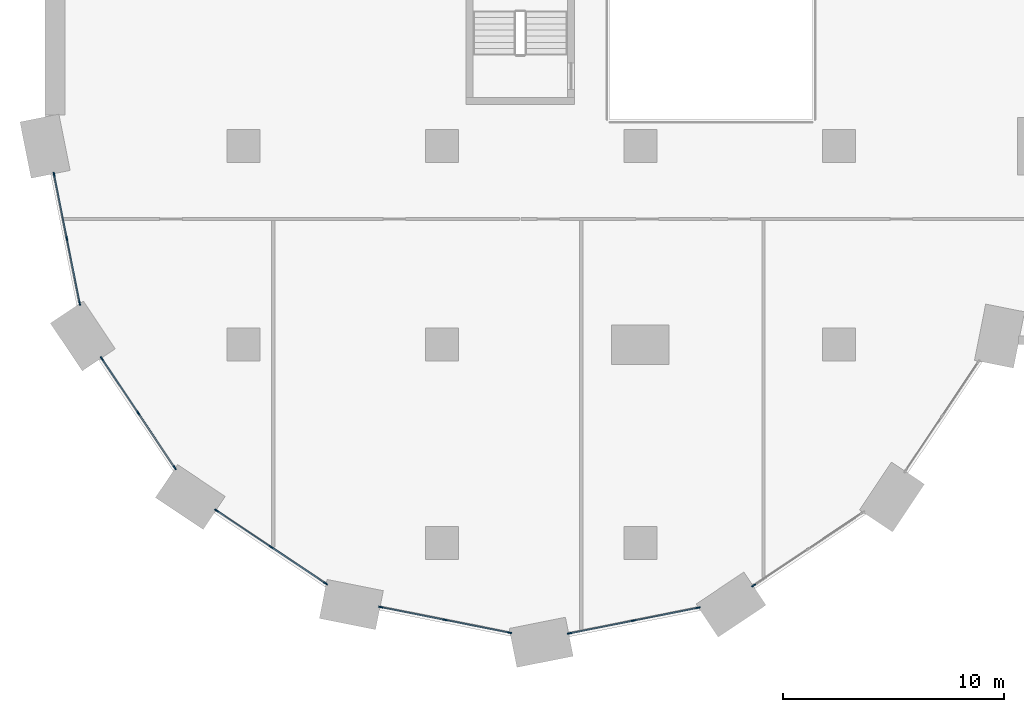
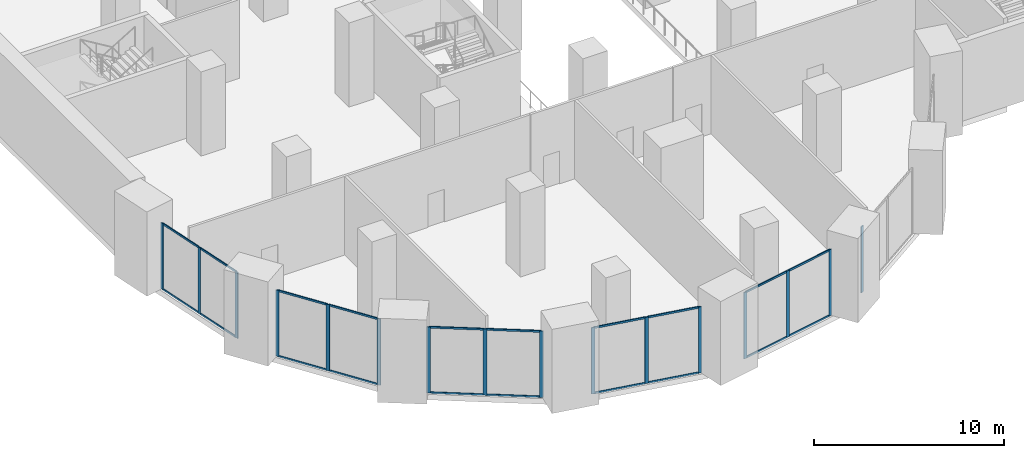
# One storey, part 3 of 44: 36 members, 6 elements without a shape of their own.
"""IFC4 building model written with IfcOpenShell, lengths in metres."""

from ifc_helpers import new_model, si_unit, direction, frame, origin, origin_2d, place, context, subcontext, project, spatial, rectangle, extrude, material, material_profile, profile_set, type_object, element, aggregate, save


model = new_model("IFC4")

# Units and contexts
model_context = context("Model", 3, precision=1e-05, world=origin(), true_north=direction((0.0, 1.0)))
body_context = subcontext(model_context, "Body", "Model", "MODEL_VIEW")
ifc_project = project(units=[si_unit("LENGTHUNIT", "METRE"), si_unit("AREAUNIT", "SQUARE_METRE"), si_unit("VOLUMEUNIT", "CUBIC_METRE"), si_unit("PLANEANGLEUNIT", "RADIAN"), si_unit("MASSUNIT", "GRAM", prefix="KILO")], contexts=[model_context])

# Site, building, storey
site_placement = place(None, origin())
site = spatial("IfcSite", under=ifc_project, at=site_placement, CompositionType="ELEMENT")
building_placement = place(site_placement, origin())
building = spatial("IfcBuilding", under=site, at=building_placement, Name="Hunhe Ridgeline Campus", CompositionType="ELEMENT")
storey_placement = place(building_placement, frame((0.0, 0.0, 6.0)))
storey = spatial("IfcBuildingStorey", under=building, at=storey_placement, Name="L01", CompositionType="ELEMENT", Elevation=6.0)

# Curtain wall, members
ifc_material_1 = material(Name="Aluminium and glass", Category="aluminium")
curtain_wall_type = type_object("IfcCurtainWallType", Name="Podium curtain wall CW-2", PredefinedType="NOTDEFINED", material=ifc_material_1)
curtain_wall_1_placement = place(storey_placement, origin())
curtain_wall_1 = element("IfcCurtainWall", 1, at=curtain_wall_1_placement, inside=storey, type_object=curtain_wall_type, Name="L01 podium curtain wall 9", PredefinedType="NOTDEFINED")
ifc_material_2 = material(Name="Aluminium", Category="aluminium")
ifc_material_profile_1 = material_profile(ifc_material_2, rectangle(XDim=0.06005859375, YDim=0.199951171875, at=origin_2d()))
ifc_profile_set_1 = profile_set([ifc_material_profile_1], Name="Aluminium")
member_type_1 = type_object("IfcMemberType", Name="CW-2 mullion 60x200", PredefinedType="MULLION", material=ifc_profile_set_1)
member_1_placement = place(storey_placement, frame((0.406494140625, 25.724853515625, 0.0), z_axis=(0.0, 0.0, 1.0), x_axis=(0.98078366193, 0.195098458454, 0.0)))
member_1 = element("IfcMember", 2, at=member_1_placement, type_object=member_type_1, Name="CW2 mullion 1", PredefinedType="MULLION", context=body_context, shape_type="SweptSolid", body=[
    extrude(rectangle(XDim=0.06005859375, YDim=0.199951171875, at=origin_2d()), origin(), (0.0, 0.0, 1.0), 4.25),
])
member_2_placement = place(storey_placement, frame((0.987060546875, 22.80712890625, 0.0), z_axis=(0.0, 0.0, 1.0), x_axis=(0.98078366193, 0.195098458454, 0.0)))
member_2 = element("IfcMember", 3, at=member_2_placement, type_object=member_type_1, Name="CW2 mullion 2", PredefinedType="MULLION", context=body_context, shape_type="SweptSolid", body=[
    extrude(rectangle(XDim=0.06005859375, YDim=0.199951171875, at=origin_2d()), origin(), (0.0, 0.0, 1.0), 4.25),
])
member_3_placement = place(storey_placement, frame((1.5673828125, 19.889404296875, 0.0), z_axis=(0.0, 0.0, 1.0), x_axis=(0.98078366193, 0.195098458454, 0.0)))
member_3 = element("IfcMember", 4, at=member_3_placement, type_object=member_type_1, Name="CW2 mullion 3", PredefinedType="MULLION", context=body_context, shape_type="SweptSolid", body=[
    extrude(rectangle(XDim=0.06005859375, YDim=0.199951171875, at=origin_2d()), origin(), (0.0, 0.0, 1.0), 4.25),
])

curtain_wall_2_placement = place(storey_placement, origin())
curtain_wall_2 = element("IfcCurtainWall", 5, at=curtain_wall_2_placement, inside=storey, type_object=curtain_wall_type, Name="L01 podium curtain wall 10", PredefinedType="NOTDEFINED")
member_4_placement = place(storey_placement, frame((2.576416015625, 17.366943359375, 0.0), z_axis=(0.0, 0.0, 1.0), x_axis=(0.831463604177, 0.555579224709, 0.0)))
member_4 = element("IfcMember", 6, at=member_4_placement, type_object=member_type_1, Name="CW2 mullion 1", PredefinedType="MULLION", context=body_context, shape_type="SweptSolid", body=[
    extrude(rectangle(XDim=0.06005859375, YDim=0.199951171875, at=origin_2d()), origin(), (0.0, 0.0, 1.0), 4.25),
])
member_5_placement = place(storey_placement, frame((4.229248046875, 14.8935546875, 0.0), z_axis=(0.0, 0.0, 1.0), x_axis=(0.831463604177, 0.555579224709, 0.0)))
member_5 = element("IfcMember", 7, at=member_5_placement, type_object=member_type_1, Name="CW2 mullion 2", PredefinedType="MULLION", context=body_context, shape_type="SweptSolid", body=[
    extrude(rectangle(XDim=0.06005859375, YDim=0.199951171875, at=origin_2d()), origin(), (0.0, 0.0, 1.0), 4.25),
])
member_6_placement = place(storey_placement, frame((5.8818359375, 12.419921875, 0.0), z_axis=(0.0, 0.0, 1.0), x_axis=(0.831463604177, 0.555579224709, 0.0)))
member_6 = element("IfcMember", 8, at=member_6_placement, type_object=member_type_1, Name="CW2 mullion 3", PredefinedType="MULLION", context=body_context, shape_type="SweptSolid", body=[
    extrude(rectangle(XDim=0.06005859375, YDim=0.199951171875, at=origin_2d()), origin(), (0.0, 0.0, 1.0), 4.25),
])

curtain_wall_3_placement = place(storey_placement, origin())
curtain_wall_3 = element("IfcCurtainWall", 9, at=curtain_wall_3_placement, inside=storey, type_object=curtain_wall_type, Name="L01 podium curtain wall 11", PredefinedType="NOTDEFINED")
member_7_placement = place(storey_placement, frame((7.779296875, 10.475830078125, 0.0), z_axis=(0.0, 0.0, 1.0), x_axis=(0.555571538247, 0.831468740176, 0.0)))
member_7 = element("IfcMember", 10, at=member_7_placement, type_object=member_type_1, Name="CW2 mullion 1", PredefinedType="MULLION", context=body_context, shape_type="SweptSolid", body=[
    extrude(rectangle(XDim=0.06005859375, YDim=0.199951171875, at=origin_2d()), origin(), (0.0, 0.0, 1.0), 4.25),
])
member_8_placement = place(storey_placement, frame((10.252685546875, 8.8232421875, 0.0), z_axis=(0.0, 0.0, 1.0), x_axis=(0.555571538247, 0.831468740176, 0.0)))
member_8 = element("IfcMember", 11, at=member_8_placement, type_object=member_type_1, Name="CW2 mullion 2", PredefinedType="MULLION", context=body_context, shape_type="SweptSolid", body=[
    extrude(rectangle(XDim=0.06005859375, YDim=0.199951171875, at=origin_2d()), origin(), (0.0, 0.0, 1.0), 4.25),
])
member_9_placement = place(storey_placement, frame((12.726318359375, 7.17041015625, 0.0), z_axis=(0.0, 0.0, 1.0), x_axis=(0.555571538247, 0.831468740176, 0.0)))
member_9 = element("IfcMember", 12, at=member_9_placement, type_object=member_type_1, Name="CW2 mullion 3", PredefinedType="MULLION", context=body_context, shape_type="SweptSolid", body=[
    extrude(rectangle(XDim=0.06005859375, YDim=0.199951171875, at=origin_2d()), origin(), (0.0, 0.0, 1.0), 4.25),
])

curtain_wall_4_placement = place(storey_placement, origin())
curtain_wall_4 = element("IfcCurtainWall", 13, at=curtain_wall_4_placement, inside=storey, type_object=curtain_wall_type, Name="L01 podium curtain wall 12", PredefinedType="NOTDEFINED")
member_10_placement = place(storey_placement, frame((15.223388671875, 6.100341796875, 0.0), z_axis=(0.0, 0.0, 1.0), x_axis=(0.195079268527, 0.980787479014, 0.0)))
member_10 = element("IfcMember", 14, at=member_10_placement, type_object=member_type_1, Name="CW2 mullion 1", PredefinedType="MULLION", context=body_context, shape_type="SweptSolid", body=[
    extrude(rectangle(XDim=0.06005859375, YDim=0.199951171875, at=origin_2d()), origin(), (0.0, 0.0, 1.0), 4.25),
])
member_11_placement = place(storey_placement, frame((18.14111328125, 5.52001953125, 0.0), z_axis=(0.0, 0.0, 1.0), x_axis=(0.195079268527, 0.980787479014, 0.0)))
member_11 = element("IfcMember", 15, at=member_11_placement, type_object=member_type_1, Name="CW2 mullion 2", PredefinedType="MULLION", context=body_context, shape_type="SweptSolid", body=[
    extrude(rectangle(XDim=0.06005859375, YDim=0.199951171875, at=origin_2d()), origin(), (0.0, 0.0, 1.0), 4.25),
])
member_12_placement = place(storey_placement, frame((21.058837890625, 4.939697265625, 0.0), z_axis=(0.0, 0.0, 1.0), x_axis=(0.195079268527, 0.980787479014, 0.0)))
member_12 = element("IfcMember", 16, at=member_12_placement, type_object=member_type_1, Name="CW2 mullion 3", PredefinedType="MULLION", context=body_context, shape_type="SweptSolid", body=[
    extrude(rectangle(XDim=0.06005859375, YDim=0.199951171875, at=origin_2d()), origin(), (0.0, 0.0, 1.0), 4.25),
])

curtain_wall_5_placement = place(storey_placement, origin())
curtain_wall_5 = element("IfcCurtainWall", 17, at=curtain_wall_5_placement, inside=storey, type_object=curtain_wall_type, Name="L01 podium curtain wall 13", PredefinedType="NOTDEFINED")
member_13_placement = place(storey_placement, frame((23.775146484375, 4.906494140625, 0.0), z_axis=(0.0, 0.0, 1.0), x_axis=(-0.195098458454, 0.98078366193, 0.0)))
member_13 = element("IfcMember", 18, at=member_13_placement, type_object=member_type_1, Name="CW2 mullion 1", PredefinedType="MULLION", context=body_context, shape_type="SweptSolid", body=[
    extrude(rectangle(XDim=0.06005859375, YDim=0.199951171875, at=origin_2d()), origin(), (0.0, 0.0, 1.0), 4.25),
])
member_14_placement = place(storey_placement, frame((26.69287109375, 5.487060546875, 0.0), z_axis=(0.0, 0.0, 1.0), x_axis=(-0.195098458454, 0.98078366193, 0.0)))
member_14 = element("IfcMember", 19, at=member_14_placement, type_object=member_type_1, Name="CW2 mullion 2", PredefinedType="MULLION", context=body_context, shape_type="SweptSolid", body=[
    extrude(rectangle(XDim=0.06005859375, YDim=0.199951171875, at=origin_2d()), origin(), (0.0, 0.0, 1.0), 4.25),
])
member_15_placement = place(storey_placement, frame((29.610595703125, 6.0673828125, 0.0), z_axis=(0.0, 0.0, 1.0), x_axis=(-0.195098458454, 0.98078366193, 0.0)))
member_15 = element("IfcMember", 20, at=member_15_placement, type_object=member_type_1, Name="CW2 mullion 3", PredefinedType="MULLION", context=body_context, shape_type="SweptSolid", body=[
    extrude(rectangle(XDim=0.06005859375, YDim=0.199951171875, at=origin_2d()), origin(), (0.0, 0.0, 1.0), 4.25),
])

# Curtain wall, member
curtain_wall_6_placement = place(storey_placement, origin())
curtain_wall_6 = element("IfcCurtainWall", 21, at=curtain_wall_6_placement, inside=storey, type_object=curtain_wall_type, Name="L01 podium curtain wall 14", PredefinedType="NOTDEFINED")
member_16_placement = place(storey_placement, frame((32.133056640625, 7.076416015625, 0.0), z_axis=(0.0, 0.0, 1.0), x_axis=(-0.555579224709, 0.831463604177, 0.0)))
member_16 = element("IfcMember", 22, at=member_16_placement, type_object=member_type_1, Name="CW2 mullion 1", PredefinedType="MULLION", context=body_context, shape_type="SweptSolid", body=[
    extrude(rectangle(XDim=0.06005859375, YDim=0.199951171875, at=origin_2d()), origin(), (0.0, 0.0, 1.0), 4.25),
])
aggregate(curtain_wall_6, [member_16])

# Member
ifc_material_profile_2 = material_profile(ifc_material_2, rectangle(XDim=0.06005859375, YDim=0.1201171875, at=origin_2d()))
ifc_profile_set_2 = profile_set([ifc_material_profile_2], Name="Aluminium")
member_type_2 = type_object("IfcMemberType", Name="CW-2 transom 60x120", PredefinedType="USERDEFINED", material=ifc_profile_set_2)
member_17_placement = place(storey_placement, frame((0.412353515625, 25.6953125, 0.030029296875), z_axis=(0.195149633653, -0.980773480721, 0.0), x_axis=(0.980773480721, 0.195149633653, 0.0)))
member_17 = element("IfcMember", 23, at=member_17_placement, type_object=member_type_2, Name="CW2 transom 1.1", ObjectType="TRANSOM", PredefinedType="USERDEFINED", context=body_context, shape_type="SweptSolid", body=[
    extrude(rectangle(XDim=0.06005859375, YDim=0.1201171875, at=origin_2d()), origin(), (0.0, 0.0, 1.0), 2.9150390625),
])

member_18_placement = place(storey_placement, frame((0.412353515625, 25.6953125, 4.219970703125), z_axis=(0.195149633653, -0.980773480721, 0.0), x_axis=(0.980773480721, 0.195149633653, 0.0)))
member_18 = element("IfcMember", 24, at=member_18_placement, type_object=member_type_2, Name="CW2 transom 1.2", ObjectType="TRANSOM", PredefinedType="USERDEFINED", context=body_context, shape_type="SweptSolid", body=[
    extrude(rectangle(XDim=0.06005859375, YDim=0.1201171875, at=origin_2d()), origin(), (0.0, 0.0, 1.0), 2.9150390625),
])

member_19_placement = place(storey_placement, frame((0.992919921875, 22.777587890625, 0.030029296875), z_axis=(0.195069066152, -0.980789508218, 0.0), x_axis=(0.980789508218, 0.195069066152, 0.0)))
member_19 = element("IfcMember", 25, at=member_19_placement, type_object=member_type_2, Name="CW2 transom 2.1", ObjectType="TRANSOM", PredefinedType="USERDEFINED", context=body_context, shape_type="SweptSolid", body=[
    extrude(rectangle(XDim=0.06005859375, YDim=0.1201171875, at=origin_2d()), origin(), (0.0, 0.0, 1.0), 2.914794921875),
])

member_20_placement = place(storey_placement, frame((0.992919921875, 22.777587890625, 4.219970703125), z_axis=(0.195069066152, -0.980789508218, 0.0), x_axis=(0.980789508218, 0.195069066152, 0.0)))
member_20 = element("IfcMember", 26, at=member_20_placement, type_object=member_type_2, Name="CW2 transom 2.2", ObjectType="TRANSOM", PredefinedType="USERDEFINED", context=body_context, shape_type="SweptSolid", body=[
    extrude(rectangle(XDim=0.06005859375, YDim=0.1201171875, at=origin_2d()), origin(), (0.0, 0.0, 1.0), 2.914794921875),
])

aggregate(curtain_wall_1, [member_1, member_2, member_3, member_17, member_18, member_19, member_20])

member_21_placement = place(storey_placement, frame((2.593017578125, 17.342041015625, 0.030029296875), z_axis=(0.55556969226, -0.831469973626, 0.0), x_axis=(0.831469973626, 0.55556969226, 0.0)))
member_21 = element("IfcMember", 27, at=member_21_placement, type_object=member_type_2, Name="CW2 transom 1.1", ObjectType="TRANSOM", PredefinedType="USERDEFINED", context=body_context, shape_type="SweptSolid", body=[
    extrude(rectangle(XDim=0.06005859375, YDim=0.1201171875, at=origin_2d()), origin(), (0.0, 0.0, 1.0), 2.914794921875),
])

member_22_placement = place(storey_placement, frame((2.593017578125, 17.342041015625, 4.219970703125), z_axis=(0.55556969226, -0.831469973626, 0.0), x_axis=(0.831469973626, 0.55556969226, 0.0)))
member_22 = element("IfcMember", 28, at=member_22_placement, type_object=member_type_2, Name="CW2 transom 1.2", ObjectType="TRANSOM", PredefinedType="USERDEFINED", context=body_context, shape_type="SweptSolid", body=[
    extrude(rectangle(XDim=0.06005859375, YDim=0.1201171875, at=origin_2d()), origin(), (0.0, 0.0, 1.0), 2.914794921875),
])

member_23_placement = place(storey_placement, frame((4.245849609375, 14.86865234375, 0.030029296875), z_axis=(0.55556969226, -0.831469973626, 0.0), x_axis=(0.831469973626, 0.55556969226, 0.0)))
member_23 = element("IfcMember", 29, at=member_23_placement, type_object=member_type_2, Name="CW2 transom 2.1", ObjectType="TRANSOM", PredefinedType="USERDEFINED", context=body_context, shape_type="SweptSolid", body=[
    extrude(rectangle(XDim=0.06005859375, YDim=0.1201171875, at=origin_2d()), origin(), (0.0, 0.0, 1.0), 2.914794921875),
])

member_24_placement = place(storey_placement, frame((4.245849609375, 14.86865234375, 4.219970703125), z_axis=(0.55556969226, -0.831469973626, 0.0), x_axis=(0.831469973626, 0.55556969226, 0.0)))
member_24 = element("IfcMember", 30, at=member_24_placement, type_object=member_type_2, Name="CW2 transom 2.2", ObjectType="TRANSOM", PredefinedType="USERDEFINED", context=body_context, shape_type="SweptSolid", body=[
    extrude(rectangle(XDim=0.06005859375, YDim=0.1201171875, at=origin_2d()), origin(), (0.0, 0.0, 1.0), 2.914794921875),
])

aggregate(curtain_wall_2, [member_4, member_5, member_6, member_21, member_22, member_23, member_24])

member_25_placement = place(storey_placement, frame((7.80419921875, 10.459228515625, 0.030029296875), z_axis=(0.831469973626, -0.55556969226, 0.0), x_axis=(0.55556969226, 0.831469973626, 0.0)))
member_25 = element("IfcMember", 31, at=member_25_placement, type_object=member_type_2, Name="CW2 transom 1.1", ObjectType="TRANSOM", PredefinedType="USERDEFINED", context=body_context, shape_type="SweptSolid", body=[
    extrude(rectangle(XDim=0.06005859375, YDim=0.1201171875, at=origin_2d()), origin(), (0.0, 0.0, 1.0), 2.914794921875),
])

member_26_placement = place(storey_placement, frame((7.80419921875, 10.459228515625, 4.219970703125), z_axis=(0.831469973626, -0.55556969226, 0.0), x_axis=(0.55556969226, 0.831469973626, 0.0)))
member_26 = element("IfcMember", 32, at=member_26_placement, type_object=member_type_2, Name="CW2 transom 1.2", ObjectType="TRANSOM", PredefinedType="USERDEFINED", context=body_context, shape_type="SweptSolid", body=[
    extrude(rectangle(XDim=0.06005859375, YDim=0.1201171875, at=origin_2d()), origin(), (0.0, 0.0, 1.0), 2.914794921875),
])

member_27_placement = place(storey_placement, frame((10.27783203125, 8.806396484375, 0.030029296875), z_axis=(0.831469973626, -0.55556969226, 0.0), x_axis=(0.55556969226, 0.831469973626, 0.0)))
member_27 = element("IfcMember", 33, at=member_27_placement, type_object=member_type_2, Name="CW2 transom 2.1", ObjectType="TRANSOM", PredefinedType="USERDEFINED", context=body_context, shape_type="SweptSolid", body=[
    extrude(rectangle(XDim=0.06005859375, YDim=0.1201171875, at=origin_2d()), origin(), (0.0, 0.0, 1.0), 2.914794921875),
])

member_28_placement = place(storey_placement, frame((10.27783203125, 8.806396484375, 4.219970703125), z_axis=(0.831469973626, -0.55556969226, 0.0), x_axis=(0.55556969226, 0.831469973626, 0.0)))
member_28 = element("IfcMember", 34, at=member_28_placement, type_object=member_type_2, Name="CW2 transom 2.2", ObjectType="TRANSOM", PredefinedType="USERDEFINED", context=body_context, shape_type="SweptSolid", body=[
    extrude(rectangle(XDim=0.06005859375, YDim=0.1201171875, at=origin_2d()), origin(), (0.0, 0.0, 1.0), 2.914794921875),
])

aggregate(curtain_wall_3, [member_7, member_8, member_9, member_25, member_26, member_27, member_28])

member_29_placement = place(storey_placement, frame((15.252685546875, 6.094482421875, 0.030029296875), z_axis=(0.980789508218, -0.195069066152, 0.0), x_axis=(0.195069066152, 0.980789508218, 0.0)))
member_29 = element("IfcMember", 35, at=member_29_placement, type_object=member_type_2, Name="CW2 transom 1.1", ObjectType="TRANSOM", PredefinedType="USERDEFINED", context=body_context, shape_type="SweptSolid", body=[
    extrude(rectangle(XDim=0.06005859375, YDim=0.1201171875, at=origin_2d()), origin(), (0.0, 0.0, 1.0), 2.914794921875),
])

member_30_placement = place(storey_placement, frame((15.252685546875, 6.094482421875, 4.219970703125), z_axis=(0.980789508218, -0.195069066152, 0.0), x_axis=(0.195069066152, 0.980789508218, 0.0)))
member_30 = element("IfcMember", 36, at=member_30_placement, type_object=member_type_2, Name="CW2 transom 1.2", ObjectType="TRANSOM", PredefinedType="USERDEFINED", context=body_context, shape_type="SweptSolid", body=[
    extrude(rectangle(XDim=0.06005859375, YDim=0.1201171875, at=origin_2d()), origin(), (0.0, 0.0, 1.0), 2.914794921875),
])

member_31_placement = place(storey_placement, frame((18.17041015625, 5.51416015625, 0.030029296875), z_axis=(0.980792694926, -0.195053042992, 0.0), x_axis=(0.195053042992, 0.980792694926, 0.0)))
member_31 = element("IfcMember", 37, at=member_31_placement, type_object=member_type_2, Name="CW2 transom 2.1", ObjectType="TRANSOM", PredefinedType="USERDEFINED", context=body_context, shape_type="SweptSolid", body=[
    extrude(rectangle(XDim=0.06005859375, YDim=0.1201171875, at=origin_2d()), origin(), (0.0, 0.0, 1.0), 2.9150390625),
])

member_32_placement = place(storey_placement, frame((18.17041015625, 5.51416015625, 4.219970703125), z_axis=(0.980792694926, -0.195053042992, 0.0), x_axis=(0.195053042992, 0.980792694926, 0.0)))
member_32 = element("IfcMember", 38, at=member_32_placement, type_object=member_type_2, Name="CW2 transom 2.2", ObjectType="TRANSOM", PredefinedType="USERDEFINED", context=body_context, shape_type="SweptSolid", body=[
    extrude(rectangle(XDim=0.06005859375, YDim=0.1201171875, at=origin_2d()), origin(), (0.0, 0.0, 1.0), 2.9150390625),
])

aggregate(curtain_wall_4, [member_10, member_11, member_12, member_29, member_30, member_31, member_32])

member_33_placement = place(storey_placement, frame((23.8046875, 4.912353515625, 0.030029296875), z_axis=(0.980773480721, 0.195149633653, 0.0), x_axis=(-0.195149633653, 0.980773480721, 0.0)))
member_33 = element("IfcMember", 39, at=member_33_placement, type_object=member_type_2, Name="CW2 transom 1.1", ObjectType="TRANSOM", PredefinedType="USERDEFINED", context=body_context, shape_type="SweptSolid", body=[
    extrude(rectangle(XDim=0.06005859375, YDim=0.1201171875, at=origin_2d()), origin(), (0.0, 0.0, 1.0), 2.9150390625),
])

member_34_placement = place(storey_placement, frame((23.8046875, 4.912353515625, 4.219970703125), z_axis=(0.980773480721, 0.195149633653, 0.0), x_axis=(-0.195149633653, 0.980773480721, 0.0)))
member_34 = element("IfcMember", 40, at=member_34_placement, type_object=member_type_2, Name="CW2 transom 1.2", ObjectType="TRANSOM", PredefinedType="USERDEFINED", context=body_context, shape_type="SweptSolid", body=[
    extrude(rectangle(XDim=0.06005859375, YDim=0.1201171875, at=origin_2d()), origin(), (0.0, 0.0, 1.0), 2.9150390625),
])

member_35_placement = place(storey_placement, frame((26.722412109375, 5.492919921875, 0.030029296875), z_axis=(0.980789508218, 0.195069066152, 0.0), x_axis=(-0.195069066152, 0.980789508218, 0.0)))
member_35 = element("IfcMember", 41, at=member_35_placement, type_object=member_type_2, Name="CW2 transom 2.1", ObjectType="TRANSOM", PredefinedType="USERDEFINED", context=body_context, shape_type="SweptSolid", body=[
    extrude(rectangle(XDim=0.06005859375, YDim=0.1201171875, at=origin_2d()), origin(), (0.0, 0.0, 1.0), 2.914794921875),
])

member_36_placement = place(storey_placement, frame((26.722412109375, 5.492919921875, 4.219970703125), z_axis=(0.980789508218, 0.195069066152, 0.0), x_axis=(-0.195069066152, 0.980789508218, 0.0)))
member_36 = element("IfcMember", 42, at=member_36_placement, type_object=member_type_2, Name="CW2 transom 2.2", ObjectType="TRANSOM", PredefinedType="USERDEFINED", context=body_context, shape_type="SweptSolid", body=[
    extrude(rectangle(XDim=0.06005859375, YDim=0.1201171875, at=origin_2d()), origin(), (0.0, 0.0, 1.0), 2.914794921875),
])

aggregate(curtain_wall_5, [member_13, member_14, member_15, member_33, member_34, member_35, member_36])

save(model, "model.ifc")
